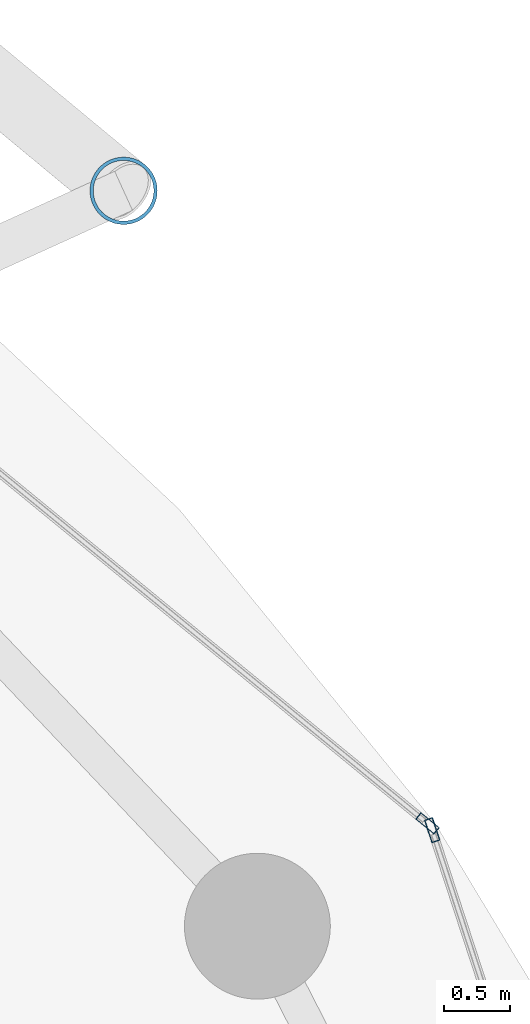
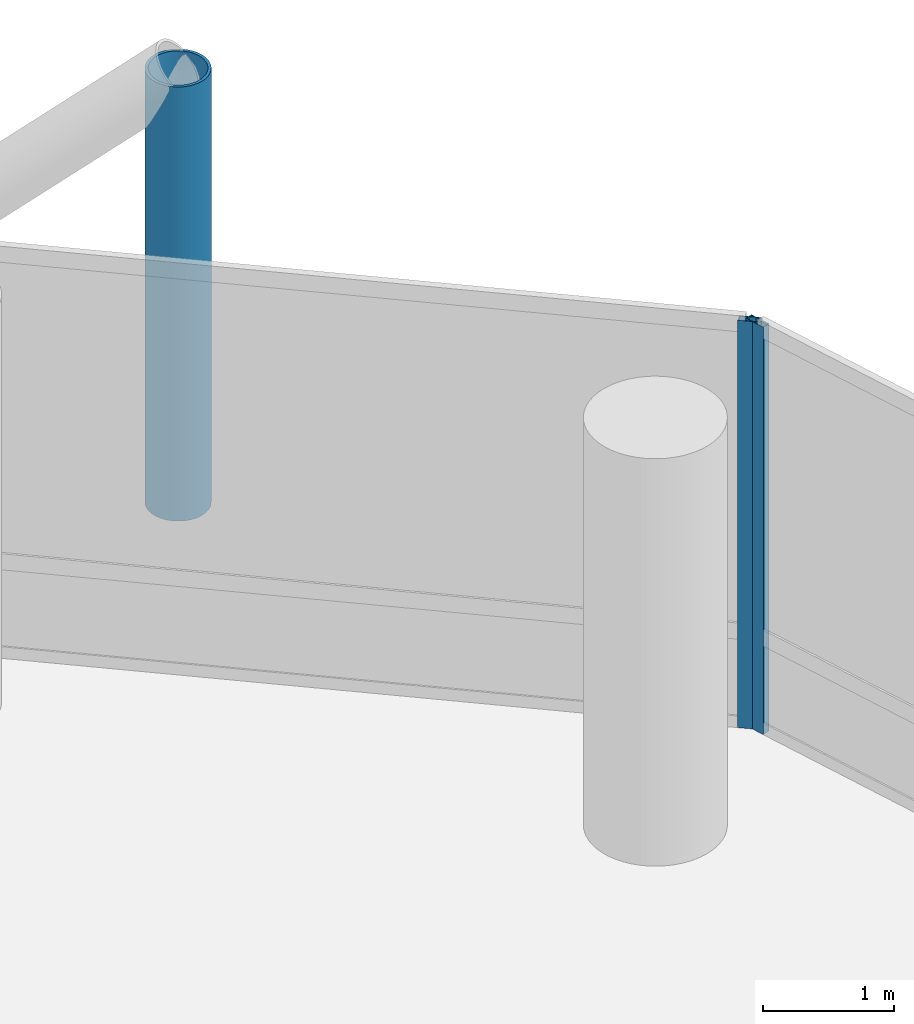
# One storey, part 19 of 24: 3 members, 2 elements without a shape of their own.
"""IFC4 building model written with IfcOpenShell, lengths in metres."""

from ifc_helpers import new_model, si_unit, direction, frame, origin, origin_2d, place, context, subcontext, project, spatial, hollow_rectangle, hollow_circle, extrude, material, layer, layer_set, material_profile, profile_set, type_object, element, aggregate, save


model = new_model("IFC4")

# Units and contexts
model_context = context("Model", 3, precision=1e-05, world=origin(), true_north=direction((0.0, 1.0)))
body_context = subcontext(model_context, "Body", "Model", "MODEL_VIEW")
ifc_project = project(units=[si_unit("LENGTHUNIT", "METRE"), si_unit("AREAUNIT", "SQUARE_METRE"), si_unit("VOLUMEUNIT", "CUBIC_METRE"), si_unit("PLANEANGLEUNIT", "RADIAN"), si_unit("MASSUNIT", "GRAM", prefix="KILO")], contexts=[model_context])

# Site, building, storey
site_placement = place(None, origin())
site = spatial("IfcSite", under=ifc_project, at=site_placement, CompositionType="ELEMENT")
building_placement = place(site_placement, origin())
building = spatial("IfcBuilding", under=site, at=building_placement, Name="Nuhasar Tower", CompositionType="ELEMENT")
storey_placement = place(building_placement, frame((0.0, 0.0, 89.85009765625)))
storey = spatial("IfcBuildingStorey", under=building, at=storey_placement, Name="L21", CompositionType="ELEMENT", Elevation=89.85009765625)

# Curtain wall, member
ifc_material_1 = material(Name="Aluminium 6063-T6", Category="aluminium")
ifc_layer = layer(ifc_material_1, 0.199951171875)
ifc_layer_set = layer_set([ifc_layer], Name="Aluminium 6063-T6")
curtain_wall_type = type_object("IfcCurtainWallType", Name="CW-Z1-OFF", PredefinedType="NOTDEFINED", material=ifc_layer_set)
curtain_wall_1_placement = place(storey_placement, origin())
curtain_wall_1 = element("IfcCurtainWall", 1, at=curtain_wall_1_placement, inside=storey, type_object=curtain_wall_type, Name="L21 Unitised Curtain Wall 01", PredefinedType="NOTDEFINED")
ifc_material_profile_1 = material_profile(ifc_material_1, hollow_rectangle(XDim=0.06494140625, YDim=0.179931640625, WallThickness=0.0048828125, at=origin_2d()), Name="CWM-2")
ifc_profile_set_1 = profile_set([ifc_material_profile_1], Name="Aluminium 6063-T6")
member_type_1 = type_object("IfcMemberType", Name="CW-MUL-S2", PredefinedType="MULLION", material=ifc_profile_set_1)
member_1_placement = place(storey_placement, frame((62.01220703125, 37.649169921875, 0.0), z_axis=(0.0, 0.0, 1.0), x_axis=(-0.950467534571, -0.310823849997, 0.0)))
member_1 = element("IfcMember", 2, at=member_1_placement, type_object=member_type_1, Name="CW-Z1 mullion 2", PredefinedType="MULLION", context=body_context, shape_type="SweptSolid", body=[
    extrude(hollow_rectangle(XDim=0.06494140625, YDim=0.179931640625, WallThickness=0.0048828125, at=origin_2d()), origin(), (0.0, 0.0, 1.0), 3.7998046875),
])
aggregate(curtain_wall_1, [member_1])

curtain_wall_2_placement = place(storey_placement, origin())
curtain_wall_2 = element("IfcCurtainWall", 3, at=curtain_wall_2_placement, inside=storey, type_object=curtain_wall_type, Name="L21 Unitised Curtain Wall 02", PredefinedType="NOTDEFINED")
member_2_placement = place(storey_placement, frame((61.976806640625, 37.70068359375, 0.0), z_axis=(0.0, 0.0, 1.0), x_axis=(-0.633744593376, -0.773542364946, 0.0)))
member_2 = element("IfcMember", 4, at=member_2_placement, type_object=member_type_1, Name="CW-Z1 mullion 1", PredefinedType="MULLION", context=body_context, shape_type="SweptSolid", body=[
    extrude(hollow_rectangle(XDim=0.06494140625, YDim=0.179931640625, WallThickness=0.0048828125, at=origin_2d()), origin(), (0.0, 0.0, 1.0), 3.7998046875),
])
aggregate(curtain_wall_2, [member_2])

# Member
ifc_material_2 = material(Name="Steel S460", Category="steel")
ifc_material_profile_2 = material_profile(ifc_material_2, hollow_circle(Radius=0.25390625, WallThickness=0.025390625, at=origin_2d()), Name="HSS508X25.4")
ifc_profile_set_2 = profile_set([ifc_material_profile_2], Name="Steel S460")
member_type_2 = type_object("IfcMemberType", Name="EXO-BRONZE-508", PredefinedType="BRACE", material=ifc_profile_set_2)
member_3_placement = place(storey_placement, frame((59.68505859375, 42.470947265625, 0.0), z_axis=(0.0, 0.0, 1.0), x_axis=(1.0, 0.0, 0.0)))
element("IfcMember", 5, at=member_3_placement, inside=storey, type_object=member_type_2, Name="L21 Exoskeleton Chord Column EC-02A", PredefinedType="BRACE", context=body_context, shape_type="SweptSolid", body=[
    extrude(hollow_circle(Radius=0.25390625, WallThickness=0.025390625, at=origin_2d()), origin(), (0.0, 0.0, 1.0), 4.0498046875),
])

save(model, "model.ifc")
